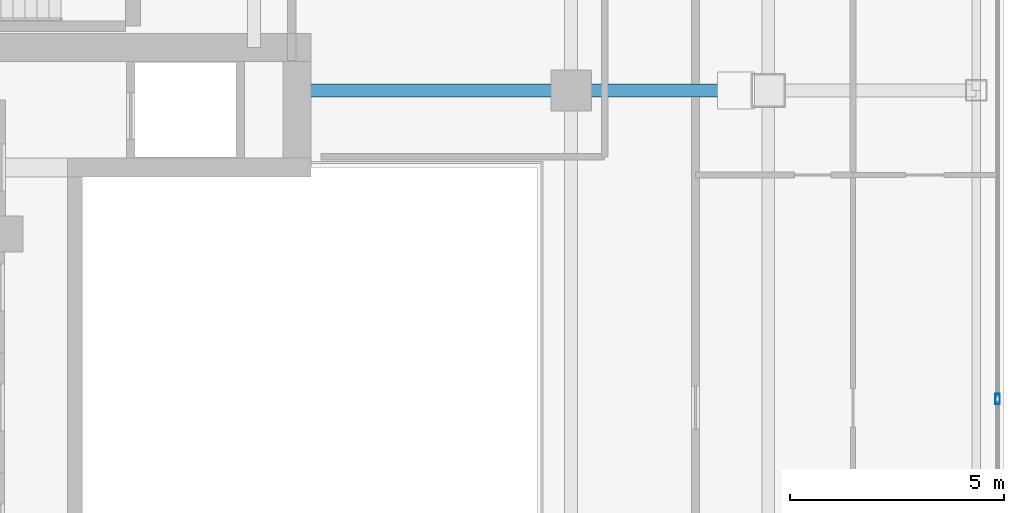
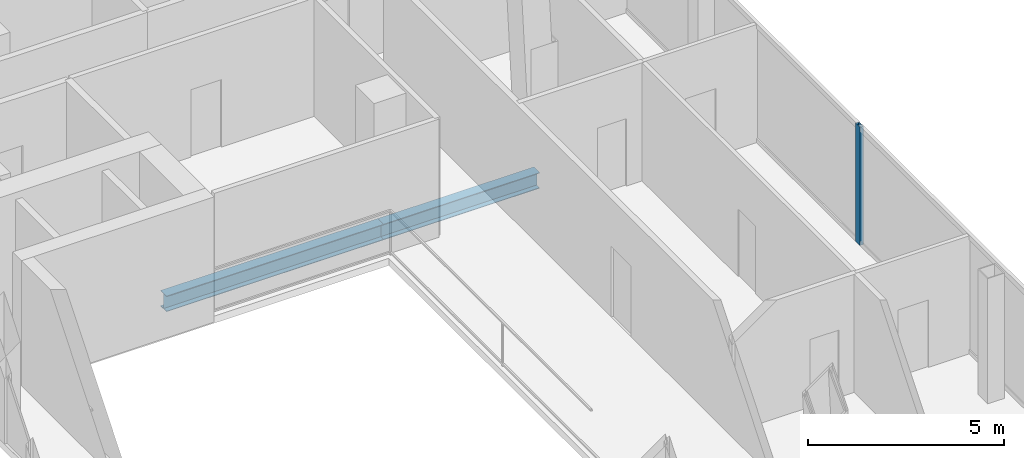
# One storey, part 9 of 27: 2 beams, 1 member, 1 element without a shape of its own.
"""IFC4 building model written with IfcOpenShell, lengths in metres."""

from ifc_helpers import new_model, si_unit, direction, frame, origin, origin_2d, place, context, subcontext, project, spatial, hollow_rectangle, i_section, extrude, material, layer, layer_set, material_profile, profile_set, type_object, element, aggregate, save


model = new_model("IFC4")

# Units and contexts
model_context = context("Model", 3, precision=1e-05, world=origin(), true_north=direction((0.0, 1.0)))
body_context = subcontext(model_context, "Body", "Model", "MODEL_VIEW")
ifc_project = project(units=[si_unit("LENGTHUNIT", "METRE"), si_unit("AREAUNIT", "SQUARE_METRE"), si_unit("VOLUMEUNIT", "CUBIC_METRE"), si_unit("PLANEANGLEUNIT", "RADIAN"), si_unit("MASSUNIT", "GRAM", prefix="KILO")], contexts=[model_context])

# Site, building, storey
site_placement = place(None, origin())
site = spatial("IfcSite", under=ifc_project, at=site_placement, CompositionType="ELEMENT")
building_placement = place(site_placement, origin())
building = spatial("IfcBuilding", under=site, at=building_placement, Name="Khorvyn Point Tower", CompositionType="ELEMENT")
storey_placement = place(building_placement, frame((0.0, 0.0, 270.300048828125)))
storey = spatial("IfcBuildingStorey", under=building, at=storey_placement, Name="L66", CompositionType="ELEMENT", Elevation=270.300048828125)

# Curtain wall, member
ifc_material_1 = material(Name="Anodised aluminium 6063-T6 and laminated Low-E glass", Category="aluminium")
ifc_layer = layer(ifc_material_1, 0.18994140625)
ifc_layer_set = layer_set([ifc_layer], Name="Stick-Built High-Wind Curtain Wall CW-SYS-04")
curtain_wall_type = type_object("IfcCurtainWallType", Name="Stick-Built High-Wind Curtain Wall CW-SYS-04", PredefinedType="NOTDEFINED", material=ifc_layer_set)
curtain_wall_placement = place(storey_placement, origin())
curtain_wall = element("IfcCurtainWall", 1, at=curtain_wall_placement, inside=storey, type_object=curtain_wall_type, Name="Curtain Wall", PredefinedType="NOTDEFINED")
ifc_material_2 = material(Name="Anodised aluminium 6063-T6", Category="aluminium")
ifc_material_profile_1 = material_profile(ifc_material_2, hollow_rectangle(XDim=0.10009765625, YDim=0.239990234375, WallThickness=0.0048828125, at=origin_2d()))
ifc_profile_set_1 = profile_set([ifc_material_profile_1], Name="Anodised aluminium 6063-T6 ALU-MUL-100x240")
member_type = type_object("IfcMemberType", Name="Anodised Aluminium 6063-T6 Mullion ALU-MUL-100x240", PredefinedType="MULLION", material=ifc_profile_set_1)
member_placement = place(storey_placement, frame((24.75, 0.199951171875, 0.0), z_axis=(0.0, 0.0, 1.0), x_axis=(1.0, 0.0, 0.0)))
member = element("IfcMember", 2, at=member_placement, type_object=member_type, Name="Transom", PredefinedType="MULLION", context=body_context, shape_type="SweptSolid", body=[
    extrude(hollow_rectangle(XDim=0.10009765625, YDim=0.239990234375, WallThickness=0.0048828125, at=origin_2d()), origin(), (0.0, 0.0, 1.0), 3.679931640625),
])
aggregate(curtain_wall, [member])

# Beams
ifc_material_3 = material(Name="Steel S355", Category="steel")
ifc_material_profile_2 = material_profile(ifc_material_3, i_section(OverallWidth=0.300048828125, OverallDepth=0.488037109375, WebThickness=0.010986328125, FlangeThickness=0.01806640625, at=origin_2d()))
ifc_profile_set_2 = profile_set([ifc_material_profile_2], Name="Steel S355 H488x300x11x18")
beam_type = type_object("IfcBeamType", Name="Steel S355 Spandrel H488x300x11x18", PredefinedType="SPANDREL", material=ifc_profile_set_2)
beam_1_placement = place(storey_placement, frame((8.39990234375, 7.39990234375, -0.464111328125), z_axis=(1.0, 0.0, 0.0), x_axis=(0.0, 1.0, 0.0)))
element("IfcBeam", 3, at=beam_1_placement, inside=storey, type_object=beam_type, Name="Beam", PredefinedType="SPANDREL", context=body_context, shape_type="SweptSolid", body=[
    extrude(i_section(OverallWidth=0.300048828125, OverallDepth=0.488037109375, WebThickness=0.010986328125, FlangeThickness=0.01806640625, at=origin_2d()), origin(), (0.0, 0.0, 1.0), 6.400146484375),
])
beam_2_placement = place(storey_placement, frame((14.800048828125, 7.39990234375, -0.464111328125), z_axis=(1.0, 0.0, 0.0), x_axis=(0.0, 1.0, 0.0)))
element("IfcBeam", 4, at=beam_2_placement, inside=storey, type_object=beam_type, Name="Beam", PredefinedType="SPANDREL", context=body_context, shape_type="SweptSolid", body=[
    extrude(i_section(OverallWidth=0.300048828125, OverallDepth=0.488037109375, WebThickness=0.010986328125, FlangeThickness=0.01806640625, at=origin_2d()), origin(), (0.0, 0.0, 1.0), 4.599853515625),
])

save(model, "model.ifc")
